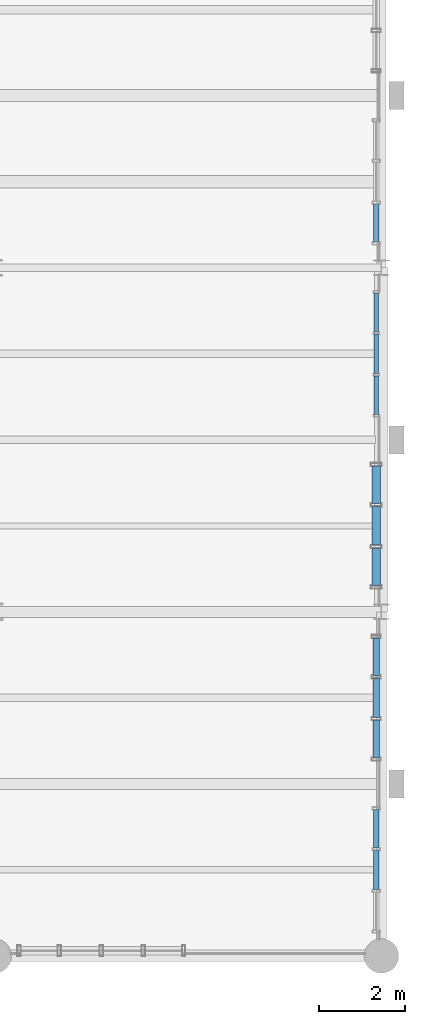
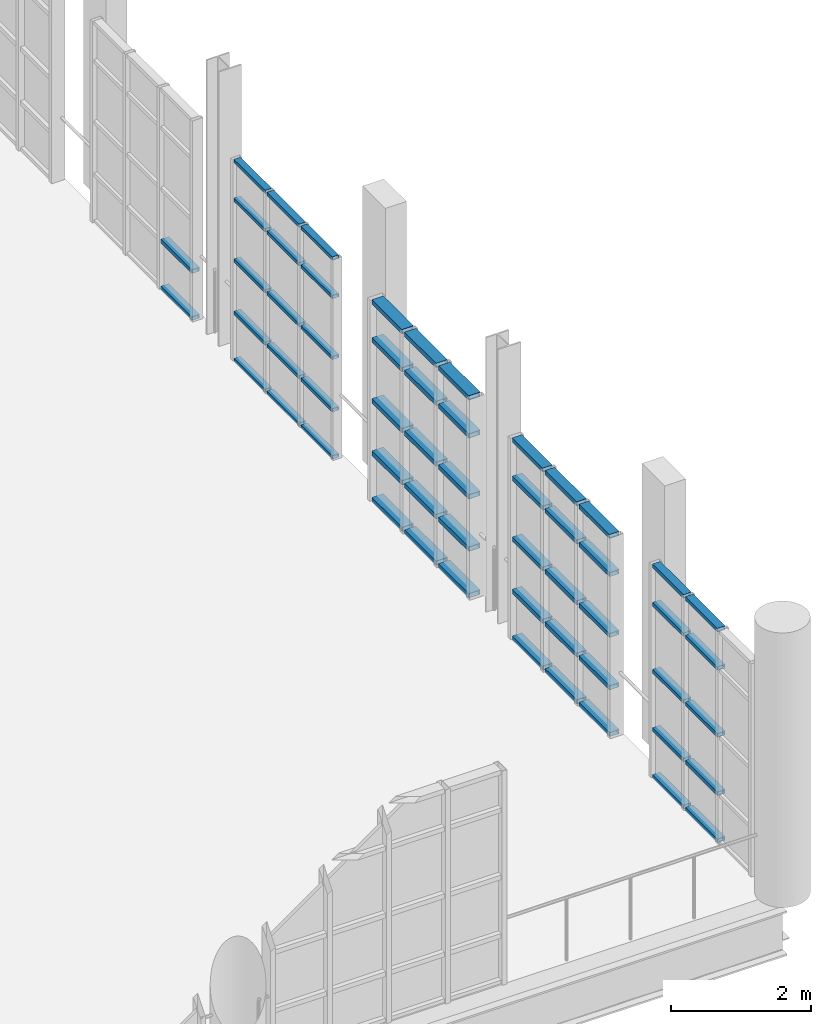
# One storey, part 74 of 122: 57 members, 5 elements without a shape of their own.
"""IFC4 building model written with IfcOpenShell, lengths in metres."""

import ifcopenshell
import ifcopenshell.guid

model = None  # the IFC model being written
_history = None  # IfcOwnerHistory: only IFC2X3 demands one
_inside = {}  # id of a spatial element -> (the spatial element, [elements in it])
_under = {}  # id of a project, library or spatial element -> (it, [spatial elements below it])
_declared = {}  # id of a project -> (the project, [libraries it declares])
_typed = {}  # id of a type object -> (the type object, [elements of that type])
_made_of = {}  # id of a material, layer set ... -> (it, [elements and type objects made of it])


def new_model(schema):
    """Start an empty IFC model of exactly this schema.

    Asked for "IFC4X3", IfcOpenShell would pick the latest addendum, in which some entities
    have other attributes; the version numbers below select the first issue.
    IFC2X3 requires an IfcOwnerHistory on every rooted entity: one is made here for all.
    """
    global model, _history
    if schema == "IFC4X3":
        model = ifcopenshell.file(schema_version=(4, 3, 0, 0))
    else:
        model = ifcopenshell.file(schema=schema)
    _inside.clear()
    _under.clear()
    _declared.clear()
    _typed.clear()
    _made_of.clear()
    _history = None
    if model.schema == "IFC2X3":
        org = make("IfcOrganization", Name="unknown")
        user = make(
            "IfcPersonAndOrganization",
            ThePerson=make("IfcPerson", FamilyName="unknown"),
            TheOrganization=org,
        )
        app = make(
            "IfcApplication",
            ApplicationDeveloper=org,
            Version="unknown",
            ApplicationFullName="unknown",
            ApplicationIdentifier="unknown",
        )
        _history = make(
            "IfcOwnerHistory",
            OwningUser=user,
            OwningApplication=app,
            ChangeAction="ADDED",
            CreationDate=0,
        )
    return model


def make(cls, **values):
    """One entity of the class cls with the attributes given. An attribute that is None is left unset."""
    return model.create_entity(
        cls, **{name: value for name, value in values.items() if value is not None}
    )


def rooted(cls, **values):
    """An entity with a GlobalId (a new one), such as an element, a storey or a relation."""
    return make(cls, GlobalId=ifcopenshell.guid.new(), OwnerHistory=_history, **values)


def si_unit(unit_type, name, prefix=None):
    """IfcSIUnit, for example si_unit("LENGTHUNIT", "METRE", prefix="MILLI")."""
    return make("IfcSIUnit", UnitType=unit_type, Prefix=prefix, Name=name)


def assignment(units):
    """IfcUnitAssignment: the units of a project."""
    return None if units is None else make("IfcUnitAssignment", Units=units)


def point(xyz):
    """IfcCartesianPoint."""
    return None if xyz is None else make("IfcCartesianPoint", Coordinates=xyz)


def direction(xyz):
    """IfcDirection."""
    return None if xyz is None else make("IfcDirection", DirectionRatios=xyz)


def frame(location, z_axis=None, x_axis=None):
    """IfcAxis2Placement3D, a coordinate frame: its origin and axes. An axis left out is left unset."""
    return make(
        "IfcAxis2Placement3D",
        Location=point(location),
        Axis=direction(z_axis),
        RefDirection=direction(x_axis),
    )


def frame_2d(location, x_axis=None):
    """IfcAxis2Placement2D, a coordinate frame in the plane: its origin and x axis."""
    return make(
        "IfcAxis2Placement2D", Location=point(location), RefDirection=direction(x_axis)
    )


def origin():
    """The frame at (0, 0, 0) with its axes left unset."""
    return frame((0.0, 0.0, 0.0))


def origin_2d():
    """The frame at (0, 0) in the plane with its x axis left unset."""
    return frame_2d((0.0, 0.0))


def place(relative_to, where):
    """IfcLocalPlacement: puts the frame where relative to a parent placement (None: the world)."""
    return make(
        "IfcLocalPlacement", PlacementRelTo=relative_to, RelativePlacement=where
    )


def context(
    kind, dimensions, precision=None, world=None, true_north=None, identifier=None
):
    """IfcGeometricRepresentationContext, for example the 3D "Model" context."""
    return make(
        "IfcGeometricRepresentationContext",
        ContextIdentifier=identifier,
        ContextType=kind,
        CoordinateSpaceDimension=dimensions,
        Precision=precision,
        WorldCoordinateSystem=world,
        TrueNorth=true_north,
    )


def subcontext(parent, identifier, kind, view, scale=None):
    """IfcGeometricRepresentationSubContext, for example "Body" below "Model"."""
    return make(
        "IfcGeometricRepresentationSubContext",
        ContextIdentifier=identifier,
        ContextType=kind,
        ParentContext=parent,
        TargetScale=scale,
        TargetView=view,
    )


def project(units=None, contexts=None):
    """IfcProject with its units and contexts."""
    return rooted(
        "IfcProject",
        Name="project",
        RepresentationContexts=contexts,
        UnitsInContext=assignment(units),
    )


def spatial(cls, under=None, at=None, **own):
    """A site, building, storey or space (cls), placed at a placement, below another one or the project."""
    s = rooted(cls, ObjectPlacement=at, **own)
    if under is not None:
        _under.setdefault(under.id(), (under, []))[1].append(s)
    return s


def profile(cls, at=None, kind="AREA", **sizes):
    """A parametric profile (cls). Its sizes go by their IFC names, for example OverallWidth=200.0."""
    return make(cls, ProfileType=kind, Position=at, **sizes)


def hollow_rectangle(**sizes):
    """IfcRectangleHollowProfileDef."""
    return profile("IfcRectangleHollowProfileDef", **sizes)


def extrude(swept, where, along, depth):
    """IfcExtrudedAreaSolid: the profile swept, set in the frame where, extruded along a direction by depth."""
    return make(
        "IfcExtrudedAreaSolid",
        SweptArea=swept,
        Position=where,
        ExtrudedDirection=direction(along),
        Depth=depth,
    )


def shape(context_of_items, identifier, shape_type, items):
    """IfcShapeRepresentation: the items that make up one representation, for example the "Body"."""
    return make(
        "IfcShapeRepresentation",
        ContextOfItems=context_of_items,
        RepresentationIdentifier=identifier,
        RepresentationType=shape_type,
        Items=items,
    )


def material(Name=None, Category=None):
    """IfcMaterial."""
    return make("IfcMaterial", Name=Name, Category=Category)


def layer(
    of_material, thickness, ventilated=None, Name=None, Category=None, Priority=None
):
    """IfcMaterialLayer: one layer of a wall or slab, of a material (None: an air gap)."""
    return make(
        "IfcMaterialLayer",
        Material=of_material,
        LayerThickness=thickness,
        IsVentilated=ventilated,
        Name=Name,
        Category=Category,
        Priority=Priority,
    )


def layer_set(layers, Name=None):
    """IfcMaterialLayerSet."""
    return make("IfcMaterialLayerSet", MaterialLayers=layers, LayerSetName=Name)


def material_profile(
    of_material, cross_section, Name=None, Category=None, Priority=None
):
    """IfcMaterialProfile: a cross section and its material."""
    return make(
        "IfcMaterialProfile",
        Name=Name,
        Material=of_material,
        Profile=cross_section,
        Priority=Priority,
        Category=Category,
    )


def profile_set(profiles, Name=None, composite=None):
    """IfcMaterialProfileSet."""
    return make(
        "IfcMaterialProfileSet",
        Name=Name,
        MaterialProfiles=profiles,
        CompositeProfile=composite,
    )


def made_of(thing, what):
    """Note that an element or type object is made of a material, layer set ...; save() writes the relation."""
    if what is not None:
        _made_of.setdefault(what.id(), (what, []))[1].append(thing)
    return thing


def type_object(cls, material=None, **own):
    """A type object (cls), such as IfcWallType, which elements share."""
    return made_of(rooted(cls, **own), material)


def element(
    cls,
    number,
    at=None,
    inside=None,
    cuts=None,
    type_object=None,
    material=None,
    context=None,
    identifier="Body",
    shape_type=None,
    held_by="IfcProductDefinitionShape",
    body=None,
    shapes=None,
    **own,
):
    """One element of the class cls, such as IfcWall. Its Tag is "e" and its number.

    at: its placement. inside: the storey or other place that contains it. cuts: it is an
    opening in that element (IfcRelVoidsElement). A single representation is given by context,
    identifier, shape_type and body (its items); several are given by shapes. held_by: the class
    of the entity that holds the representations. save() writes the other relations.
    """
    e = rooted(cls, Tag="e%d" % number, ObjectPlacement=at, **own)
    if body is not None:
        shapes = [shape(context, identifier, shape_type, body)]
    if shapes is not None:
        e.Representation = make(held_by, Representations=shapes)
    if inside is not None:
        _inside.setdefault(inside.id(), (inside, []))[1].append(e)
    if cuts is not None:
        rooted(
            "IfcRelVoidsElement", RelatingBuildingElement=cuts, RelatedOpeningElement=e
        )
    if type_object is not None:
        _typed.setdefault(type_object.id(), (type_object, []))[1].append(e)
    return made_of(e, material)


def aggregate(whole, parts):
    """IfcRelAggregates: a whole, such as a stair, and the parts it consists of."""
    return rooted("IfcRelAggregates", RelatingObject=whole, RelatedObjects=parts)


def save(model, path):
    """Write the relations noted so far, then the file.

    IfcRelAggregates (storeys below a building ...), IfcRelContainedInSpatialStructure (elements
    in a storey), IfcRelDefinesByType, IfcRelAssociatesMaterial and IfcRelDeclares: one each for
    every whole, place, type object, material and project.
    """
    for whole, parts in _under.values():
        aggregate(whole, parts)
    for where, things in _inside.values():
        rooted(
            "IfcRelContainedInSpatialStructure",
            RelatedElements=things,
            RelatingStructure=where,
        )
    for kind, things in _typed.values():
        rooted("IfcRelDefinesByType", RelatedObjects=things, RelatingType=kind)
    for what, things in _made_of.values():
        rooted("IfcRelAssociatesMaterial", RelatedObjects=things, RelatingMaterial=what)
    for by, libraries in _declared.values():
        rooted("IfcRelDeclares", RelatingContext=by, RelatedDefinitions=libraries)
    model.write(path)


model = new_model("IFC4")

# Units and contexts
model_context = context("Model", 3, precision=1e-05, world=origin(), true_north=direction((0.0, 1.0)))
body_context = subcontext(model_context, "Body", "Model", "MODEL_VIEW")
ifc_project = project(units=[si_unit("LENGTHUNIT", "METRE"), si_unit("AREAUNIT", "SQUARE_METRE"), si_unit("VOLUMEUNIT", "CUBIC_METRE"), si_unit("PLANEANGLEUNIT", "RADIAN"), si_unit("MASSUNIT", "GRAM", prefix="KILO"), si_unit("THERMODYNAMICTEMPERATUREUNIT", "KELVIN"), si_unit("POWERUNIT", "WATT")], contexts=[model_context])

# Site, building, storey
site_placement = place(None, origin())
site = spatial("IfcSite", under=ifc_project, at=site_placement, CompositionType="ELEMENT")
building_placement = place(site_placement, origin())
building = spatial("IfcBuilding", under=site, at=building_placement, Name="Zelmaris Science Centre", CompositionType="ELEMENT")
storey_placement = place(building_placement, frame((0.0, 0.0, 10.800048828125)))
storey = spatial("IfcBuildingStorey", under=building, at=storey_placement, Name="L02", CompositionType="ELEMENT", Elevation=10.800048828125)

# Curtain wall, members
ifc_material = material(Name="Anodised architectural aluminium 6063-T6", Category="aluminium")
ifc_layer_1 = layer(ifc_material, 0.219970703125, Name="Anodised architectural aluminium 6063-T6")
ifc_layer_set_1 = layer_set([ifc_layer_1], Name="Anodised architectural aluminium 6063-T6")
curtain_wall_type_1 = type_object("IfcCurtainWallType", Name="Curtain Wall CW-04", PredefinedType="USERDEFINED", material=ifc_layer_set_1)
curtain_wall_1_placement = place(storey_placement, origin())
curtain_wall_1 = element("IfcCurtainWall", 1, at=curtain_wall_1_placement, inside=storey, type_object=curtain_wall_type_1, Name="L02 Unitised curtain wall 232", ObjectType="GLAZED CURTAIN WALL", PredefinedType="USERDEFINED")
ifc_material_profile_1 = material_profile(ifc_material, hollow_rectangle(XDim=0.06005859375, YDim=0.110107421875, WallThickness=0.0029296875, at=origin_2d()), Name="ALU-TRN-60X110")
ifc_profile_set_1 = profile_set([ifc_material_profile_1], Name="Anodised architectural aluminium 6063-T6")
member_type_1 = type_object("IfcMemberType", Name="ALU-TRN-60X110", PredefinedType="USERDEFINED", material=ifc_profile_set_1)
member_1_placement = place(storey_placement, frame((143.8798828125, 23.407958984375, 0.010986328125), z_axis=(0.0, -1.0, 0.0), x_axis=(0.0, 0.0, 1.0)))
member_1 = element("IfcMember", 2, at=member_1_placement, type_object=member_type_1, Name="CW-04 transom 1.1", ObjectType="TRANSOM", PredefinedType="USERDEFINED", context=body_context, shape_type="SweptSolid", body=[
    extrude(hollow_rectangle(XDim=0.06005859375, YDim=0.110107421875, WallThickness=0.0029296875, at=origin_2d()), origin(), (0.0, 0.0, 1.0), 0.895263671875),
])
member_2_placement = place(storey_placement, frame((143.8798828125, 23.407958984375, 0.8349609375), z_axis=(0.0, -1.0, 0.0), x_axis=(0.0, 0.0, 1.0)))
member_2 = element("IfcMember", 3, at=member_2_placement, type_object=member_type_1, Name="CW-04 transom 1.2", ObjectType="TRANSOM", PredefinedType="USERDEFINED", context=body_context, shape_type="SweptSolid", body=[
    extrude(hollow_rectangle(XDim=0.06005859375, YDim=0.110107421875, WallThickness=0.0029296875, at=origin_2d()), origin(), (0.0, 0.0, 1.0), 0.895263671875),
])
member_3_placement = place(storey_placement, frame((143.8798828125, 23.407958984375, 1.74951171875), z_axis=(0.0, -1.0, 0.0), x_axis=(0.0, 0.0, 1.0)))
member_3 = element("IfcMember", 4, at=member_3_placement, type_object=member_type_1, Name="CW-04 transom 1.3", ObjectType="TRANSOM", PredefinedType="USERDEFINED", context=body_context, shape_type="SweptSolid", body=[
    extrude(hollow_rectangle(XDim=0.06005859375, YDim=0.110107421875, WallThickness=0.0029296875, at=origin_2d()), origin(), (0.0, 0.0, 1.0), 0.895263671875),
])
member_4_placement = place(storey_placement, frame((143.8798828125, 23.407958984375, 2.81396484375), z_axis=(0.0, -1.0, 0.0), x_axis=(0.0, 0.0, 1.0)))
member_4 = element("IfcMember", 5, at=member_4_placement, type_object=member_type_1, Name="CW-04 transom 1.4", ObjectType="TRANSOM", PredefinedType="USERDEFINED", context=body_context, shape_type="SweptSolid", body=[
    extrude(hollow_rectangle(XDim=0.06005859375, YDim=0.110107421875, WallThickness=0.0029296875, at=origin_2d()), origin(), (0.0, 0.0, 1.0), 0.895263671875),
])
member_5_placement = place(storey_placement, frame((143.8798828125, 23.407958984375, 3.488037109375), z_axis=(0.0, -1.0, 0.0), x_axis=(0.0, 0.0, 1.0)))
member_5 = element("IfcMember", 6, at=member_5_placement, type_object=member_type_1, Name="CW-04 transom 1.5", ObjectType="TRANSOM", PredefinedType="USERDEFINED", context=body_context, shape_type="SweptSolid", body=[
    extrude(hollow_rectangle(XDim=0.06005859375, YDim=0.110107421875, WallThickness=0.0029296875, at=origin_2d()), origin(), (0.0, 0.0, 1.0), 0.895263671875),
])
member_6_placement = place(storey_placement, frame((143.8798828125, 22.460693359375, 0.010986328125), z_axis=(0.0, -1.0, 0.0), x_axis=(0.0, 0.0, 1.0)))
member_6 = element("IfcMember", 7, at=member_6_placement, type_object=member_type_1, Name="CW-04 transom 2.1", ObjectType="TRANSOM", PredefinedType="USERDEFINED", context=body_context, shape_type="SweptSolid", body=[
    extrude(hollow_rectangle(XDim=0.06005859375, YDim=0.110107421875, WallThickness=0.0029296875, at=origin_2d()), origin(), (0.0, 0.0, 1.0), 0.92138671875),
])
member_7_placement = place(storey_placement, frame((143.8798828125, 22.460693359375, 0.8349609375), z_axis=(0.0, -1.0, 0.0), x_axis=(0.0, 0.0, 1.0)))
member_7 = element("IfcMember", 8, at=member_7_placement, type_object=member_type_1, Name="CW-04 transom 2.2", ObjectType="TRANSOM", PredefinedType="USERDEFINED", context=body_context, shape_type="SweptSolid", body=[
    extrude(hollow_rectangle(XDim=0.06005859375, YDim=0.110107421875, WallThickness=0.0029296875, at=origin_2d()), origin(), (0.0, 0.0, 1.0), 0.92138671875),
])
member_8_placement = place(storey_placement, frame((143.8798828125, 22.460693359375, 1.74951171875), z_axis=(0.0, -1.0, 0.0), x_axis=(0.0, 0.0, 1.0)))
member_8 = element("IfcMember", 9, at=member_8_placement, type_object=member_type_1, Name="CW-04 transom 2.3", ObjectType="TRANSOM", PredefinedType="USERDEFINED", context=body_context, shape_type="SweptSolid", body=[
    extrude(hollow_rectangle(XDim=0.06005859375, YDim=0.110107421875, WallThickness=0.0029296875, at=origin_2d()), origin(), (0.0, 0.0, 1.0), 0.92138671875),
])
member_9_placement = place(storey_placement, frame((143.8798828125, 22.460693359375, 2.81396484375), z_axis=(0.0, -1.0, 0.0), x_axis=(0.0, 0.0, 1.0)))
member_9 = element("IfcMember", 10, at=member_9_placement, type_object=member_type_1, Name="CW-04 transom 2.4", ObjectType="TRANSOM", PredefinedType="USERDEFINED", context=body_context, shape_type="SweptSolid", body=[
    extrude(hollow_rectangle(XDim=0.06005859375, YDim=0.110107421875, WallThickness=0.0029296875, at=origin_2d()), origin(), (0.0, 0.0, 1.0), 0.92138671875),
])
member_10_placement = place(storey_placement, frame((143.8798828125, 22.460693359375, 3.488037109375), z_axis=(0.0, -1.0, 0.0), x_axis=(0.0, 0.0, 1.0)))
member_10 = element("IfcMember", 11, at=member_10_placement, type_object=member_type_1, Name="CW-04 transom 2.5", ObjectType="TRANSOM", PredefinedType="USERDEFINED", context=body_context, shape_type="SweptSolid", body=[
    extrude(hollow_rectangle(XDim=0.06005859375, YDim=0.110107421875, WallThickness=0.0029296875, at=origin_2d()), origin(), (0.0, 0.0, 1.0), 0.92138671875),
])
member_11_placement = place(storey_placement, frame((143.8798828125, 21.4873046875, 0.010986328125), z_axis=(0.0, -1.0, 0.0), x_axis=(0.0, 0.0, 1.0)))
member_11 = element("IfcMember", 12, at=member_11_placement, type_object=member_type_1, Name="CW-04 transom 3.1", ObjectType="TRANSOM", PredefinedType="USERDEFINED", context=body_context, shape_type="SweptSolid", body=[
    extrude(hollow_rectangle(XDim=0.06005859375, YDim=0.110107421875, WallThickness=0.0029296875, at=origin_2d()), origin(), (0.0, 0.0, 1.0), 0.895263671875),
])
member_12_placement = place(storey_placement, frame((143.8798828125, 21.4873046875, 0.8349609375), z_axis=(0.0, -1.0, 0.0), x_axis=(0.0, 0.0, 1.0)))
member_12 = element("IfcMember", 13, at=member_12_placement, type_object=member_type_1, Name="CW-04 transom 3.2", ObjectType="TRANSOM", PredefinedType="USERDEFINED", context=body_context, shape_type="SweptSolid", body=[
    extrude(hollow_rectangle(XDim=0.06005859375, YDim=0.110107421875, WallThickness=0.0029296875, at=origin_2d()), origin(), (0.0, 0.0, 1.0), 0.895263671875),
])
member_13_placement = place(storey_placement, frame((143.8798828125, 21.4873046875, 1.74951171875), z_axis=(0.0, -1.0, 0.0), x_axis=(0.0, 0.0, 1.0)))
member_13 = element("IfcMember", 14, at=member_13_placement, type_object=member_type_1, Name="CW-04 transom 3.3", ObjectType="TRANSOM", PredefinedType="USERDEFINED", context=body_context, shape_type="SweptSolid", body=[
    extrude(hollow_rectangle(XDim=0.06005859375, YDim=0.110107421875, WallThickness=0.0029296875, at=origin_2d()), origin(), (0.0, 0.0, 1.0), 0.895263671875),
])
member_14_placement = place(storey_placement, frame((143.8798828125, 21.4873046875, 2.81396484375), z_axis=(0.0, -1.0, 0.0), x_axis=(0.0, 0.0, 1.0)))
member_14 = element("IfcMember", 15, at=member_14_placement, type_object=member_type_1, Name="CW-04 transom 3.4", ObjectType="TRANSOM", PredefinedType="USERDEFINED", context=body_context, shape_type="SweptSolid", body=[
    extrude(hollow_rectangle(XDim=0.06005859375, YDim=0.110107421875, WallThickness=0.0029296875, at=origin_2d()), origin(), (0.0, 0.0, 1.0), 0.895263671875),
])
member_15_placement = place(storey_placement, frame((143.8798828125, 21.4873046875, 3.488037109375), z_axis=(0.0, -1.0, 0.0), x_axis=(0.0, 0.0, 1.0)))
member_15 = element("IfcMember", 16, at=member_15_placement, type_object=member_type_1, Name="CW-04 transom 3.5", ObjectType="TRANSOM", PredefinedType="USERDEFINED", context=body_context, shape_type="SweptSolid", body=[
    extrude(hollow_rectangle(XDim=0.06005859375, YDim=0.110107421875, WallThickness=0.0029296875, at=origin_2d()), origin(), (0.0, 0.0, 1.0), 0.895263671875),
])
aggregate(curtain_wall_1, [member_1, member_2, member_3, member_4, member_5, member_6, member_7, member_8, member_9, member_10, member_11, member_12, member_13, member_14, member_15])

ifc_layer_2 = layer(ifc_material, 0.2099609375, Name="Anodised architectural aluminium 6063-T6")
ifc_layer_set_2 = layer_set([ifc_layer_2], Name="Anodised architectural aluminium 6063-T6")
curtain_wall_type_2 = type_object("IfcCurtainWallType", Name="Curtain Wall CW-03", PredefinedType="USERDEFINED", material=ifc_layer_set_2)
curtain_wall_2_placement = place(storey_placement, origin())
curtain_wall_2 = element("IfcCurtainWall", 17, at=curtain_wall_2_placement, inside=storey, type_object=curtain_wall_type_2, Name="L02 Unitised curtain wall 231", ObjectType="GLAZED CURTAIN WALL", PredefinedType="USERDEFINED")
ifc_material_profile_2 = material_profile(ifc_material, hollow_rectangle(XDim=0.06494140625, YDim=0.1298828125, WallThickness=0.00341796875, at=origin_2d()), Name="ALU-TRN-65X130")
ifc_profile_set_2 = profile_set([ifc_material_profile_2], Name="Anodised architectural aluminium 6063-T6")
member_type_2 = type_object("IfcMemberType", Name="ALU-TRN-65X130", PredefinedType="USERDEFINED", material=ifc_profile_set_2)
member_16_placement = place(storey_placement, frame((143.8798828125, 25.48486328125, 0.013427734375), z_axis=(0.0, -1.0, 0.0), x_axis=(0.0, 0.0, 1.0)))
member_16 = element("IfcMember", 18, at=member_16_placement, type_object=member_type_2, Name="CW-03 transom 3.1", ObjectType="TRANSOM", PredefinedType="USERDEFINED", context=body_context, shape_type="SweptSolid", body=[
    extrude(hollow_rectangle(XDim=0.06494140625, YDim=0.1298828125, WallThickness=0.00341796875, at=origin_2d()), origin(), (0.0, 0.0, 1.0), 0.887939453125),
])
member_17_placement = place(storey_placement, frame((143.8798828125, 25.48486328125, 0.8349609375), z_axis=(0.0, -1.0, 0.0), x_axis=(0.0, 0.0, 1.0)))
member_17 = element("IfcMember", 19, at=member_17_placement, type_object=member_type_2, Name="CW-03 transom 3.2", ObjectType="TRANSOM", PredefinedType="USERDEFINED", context=body_context, shape_type="SweptSolid", body=[
    extrude(hollow_rectangle(XDim=0.06494140625, YDim=0.1298828125, WallThickness=0.00341796875, at=origin_2d()), origin(), (0.0, 0.0, 1.0), 0.887939453125),
])
aggregate(curtain_wall_2, [member_16, member_17])

curtain_wall_3_placement = place(storey_placement, origin())
curtain_wall_3 = element("IfcCurtainWall", 20, at=curtain_wall_3_placement, inside=storey, type_object=curtain_wall_type_2, Name="L02 Unitised curtain wall 235", ObjectType="GLAZED CURTAIN WALL", PredefinedType="USERDEFINED")
member_18_placement = place(storey_placement, frame((143.8798828125, 11.403076171875, 0.013427734375), z_axis=(0.0, -1.0, 0.0), x_axis=(0.0, 0.0, 1.0)))
member_18 = element("IfcMember", 21, at=member_18_placement, type_object=member_type_2, Name="CW-03 transom 1.1", ObjectType="TRANSOM", PredefinedType="USERDEFINED", context=body_context, shape_type="SweptSolid", body=[
    extrude(hollow_rectangle(XDim=0.06494140625, YDim=0.1298828125, WallThickness=0.00341796875, at=origin_2d()), origin(), (0.0, 0.0, 1.0), 0.887939453125),
])
member_19_placement = place(storey_placement, frame((143.8798828125, 11.403076171875, 0.8349609375), z_axis=(0.0, -1.0, 0.0), x_axis=(0.0, 0.0, 1.0)))
member_19 = element("IfcMember", 22, at=member_19_placement, type_object=member_type_2, Name="CW-03 transom 1.2", ObjectType="TRANSOM", PredefinedType="USERDEFINED", context=body_context, shape_type="SweptSolid", body=[
    extrude(hollow_rectangle(XDim=0.06494140625, YDim=0.1298828125, WallThickness=0.00341796875, at=origin_2d()), origin(), (0.0, 0.0, 1.0), 0.887939453125),
])
member_20_placement = place(storey_placement, frame((143.8798828125, 11.403076171875, 1.85498046875), z_axis=(0.0, -1.0, 0.0), x_axis=(0.0, 0.0, 1.0)))
member_20 = element("IfcMember", 23, at=member_20_placement, type_object=member_type_2, Name="CW-03 transom 1.3", ObjectType="TRANSOM", PredefinedType="USERDEFINED", context=body_context, shape_type="SweptSolid", body=[
    extrude(hollow_rectangle(XDim=0.06494140625, YDim=0.1298828125, WallThickness=0.00341796875, at=origin_2d()), origin(), (0.0, 0.0, 1.0), 0.887939453125),
])
member_21_placement = place(storey_placement, frame((143.8798828125, 11.403076171875, 3.02490234375), z_axis=(0.0, -1.0, 0.0), x_axis=(0.0, 0.0, 1.0)))
member_21 = element("IfcMember", 24, at=member_21_placement, type_object=member_type_2, Name="CW-03 transom 1.4", ObjectType="TRANSOM", PredefinedType="USERDEFINED", context=body_context, shape_type="SweptSolid", body=[
    extrude(hollow_rectangle(XDim=0.06494140625, YDim=0.1298828125, WallThickness=0.00341796875, at=origin_2d()), origin(), (0.0, 0.0, 1.0), 0.887939453125),
])
member_22_placement = place(storey_placement, frame((143.8798828125, 11.403076171875, 3.696533203125), z_axis=(0.0, -1.0, 0.0), x_axis=(0.0, 0.0, 1.0)))
member_22 = element("IfcMember", 25, at=member_22_placement, type_object=member_type_2, Name="CW-03 transom 1.5", ObjectType="TRANSOM", PredefinedType="USERDEFINED", context=body_context, shape_type="SweptSolid", body=[
    extrude(hollow_rectangle(XDim=0.06494140625, YDim=0.1298828125, WallThickness=0.00341796875, at=origin_2d()), origin(), (0.0, 0.0, 1.0), 0.887939453125),
])
member_23_placement = place(storey_placement, frame((143.8798828125, 10.458251953125, 0.013427734375), z_axis=(0.0, -1.0, 0.0), x_axis=(0.0, 0.0, 1.0)))
member_23 = element("IfcMember", 26, at=member_23_placement, type_object=member_type_2, Name="CW-03 transom 2.1", ObjectType="TRANSOM", PredefinedType="USERDEFINED", context=body_context, shape_type="SweptSolid", body=[
    extrude(hollow_rectangle(XDim=0.06494140625, YDim=0.1298828125, WallThickness=0.00341796875, at=origin_2d()), origin(), (0.0, 0.0, 1.0), 0.916259765625),
])
member_24_placement = place(storey_placement, frame((143.8798828125, 10.458251953125, 0.8349609375), z_axis=(0.0, -1.0, 0.0), x_axis=(0.0, 0.0, 1.0)))
member_24 = element("IfcMember", 27, at=member_24_placement, type_object=member_type_2, Name="CW-03 transom 2.2", ObjectType="TRANSOM", PredefinedType="USERDEFINED", context=body_context, shape_type="SweptSolid", body=[
    extrude(hollow_rectangle(XDim=0.06494140625, YDim=0.1298828125, WallThickness=0.00341796875, at=origin_2d()), origin(), (0.0, 0.0, 1.0), 0.916259765625),
])
member_25_placement = place(storey_placement, frame((143.8798828125, 10.458251953125, 1.85498046875), z_axis=(0.0, -1.0, 0.0), x_axis=(0.0, 0.0, 1.0)))
member_25 = element("IfcMember", 28, at=member_25_placement, type_object=member_type_2, Name="CW-03 transom 2.3", ObjectType="TRANSOM", PredefinedType="USERDEFINED", context=body_context, shape_type="SweptSolid", body=[
    extrude(hollow_rectangle(XDim=0.06494140625, YDim=0.1298828125, WallThickness=0.00341796875, at=origin_2d()), origin(), (0.0, 0.0, 1.0), 0.916259765625),
])
member_26_placement = place(storey_placement, frame((143.8798828125, 10.458251953125, 3.02490234375), z_axis=(0.0, -1.0, 0.0), x_axis=(0.0, 0.0, 1.0)))
member_26 = element("IfcMember", 29, at=member_26_placement, type_object=member_type_2, Name="CW-03 transom 2.4", ObjectType="TRANSOM", PredefinedType="USERDEFINED", context=body_context, shape_type="SweptSolid", body=[
    extrude(hollow_rectangle(XDim=0.06494140625, YDim=0.1298828125, WallThickness=0.00341796875, at=origin_2d()), origin(), (0.0, 0.0, 1.0), 0.916259765625),
])
member_27_placement = place(storey_placement, frame((143.8798828125, 10.458251953125, 3.696533203125), z_axis=(0.0, -1.0, 0.0), x_axis=(0.0, 0.0, 1.0)))
member_27 = element("IfcMember", 30, at=member_27_placement, type_object=member_type_2, Name="CW-03 transom 2.5", ObjectType="TRANSOM", PredefinedType="USERDEFINED", context=body_context, shape_type="SweptSolid", body=[
    extrude(hollow_rectangle(XDim=0.06494140625, YDim=0.1298828125, WallThickness=0.00341796875, at=origin_2d()), origin(), (0.0, 0.0, 1.0), 0.916259765625),
])
aggregate(curtain_wall_3, [member_18, member_19, member_20, member_21, member_22, member_23, member_24, member_25, member_26, member_27])

ifc_layer_3 = layer(ifc_material, 0.199951171875, Name="Anodised architectural aluminium 6063-T6")
ifc_layer_set_3 = layer_set([ifc_layer_3], Name="Anodised architectural aluminium 6063-T6")
curtain_wall_type_3 = type_object("IfcCurtainWallType", Name="Curtain Wall CW-02", PredefinedType="USERDEFINED", material=ifc_layer_set_3)
curtain_wall_4_placement = place(storey_placement, origin())
curtain_wall_4 = element("IfcCurtainWall", 31, at=curtain_wall_4_placement, inside=storey, type_object=curtain_wall_type_3, Name="L02 Unitised curtain wall 234", ObjectType="GLAZED CURTAIN WALL", PredefinedType="USERDEFINED")
ifc_material_profile_3 = material_profile(ifc_material, hollow_rectangle(XDim=0.074951171875, YDim=0.159912109375, WallThickness=0.00390625, at=origin_2d()), Name="ALU-TRN-75X160")
ifc_profile_set_3 = profile_set([ifc_material_profile_3], Name="Anodised architectural aluminium 6063-T6")
member_type_3 = type_object("IfcMemberType", Name="ALU-TRN-75X160", PredefinedType="USERDEFINED", material=ifc_profile_set_3)
member_28_placement = place(storey_placement, frame((143.8798828125, 15.39306640625, 0.0185546875), z_axis=(0.0, -1.0, 0.0), x_axis=(0.0, 0.0, 1.0)))
member_28 = element("IfcMember", 32, at=member_28_placement, type_object=member_type_3, Name="CW-02 transom 1.1", ObjectType="TRANSOM", PredefinedType="USERDEFINED", context=body_context, shape_type="SweptSolid", body=[
    extrude(hollow_rectangle(XDim=0.074951171875, YDim=0.159912109375, WallThickness=0.00390625, at=origin_2d()), origin(), (0.0, 0.0, 1.0), 0.872802734375),
])
member_29_placement = place(storey_placement, frame((143.8798828125, 15.39306640625, 0.8349609375), z_axis=(0.0, -1.0, 0.0), x_axis=(0.0, 0.0, 1.0)))
member_29 = element("IfcMember", 33, at=member_29_placement, type_object=member_type_3, Name="CW-02 transom 1.2", ObjectType="TRANSOM", PredefinedType="USERDEFINED", context=body_context, shape_type="SweptSolid", body=[
    extrude(hollow_rectangle(XDim=0.074951171875, YDim=0.159912109375, WallThickness=0.00390625, at=origin_2d()), origin(), (0.0, 0.0, 1.0), 0.872802734375),
])
member_30_placement = place(storey_placement, frame((143.8798828125, 15.39306640625, 1.74951171875), z_axis=(0.0, -1.0, 0.0), x_axis=(0.0, 0.0, 1.0)))
member_30 = element("IfcMember", 34, at=member_30_placement, type_object=member_type_3, Name="CW-02 transom 1.3", ObjectType="TRANSOM", PredefinedType="USERDEFINED", context=body_context, shape_type="SweptSolid", body=[
    extrude(hollow_rectangle(XDim=0.074951171875, YDim=0.159912109375, WallThickness=0.00390625, at=origin_2d()), origin(), (0.0, 0.0, 1.0), 0.872802734375),
])
member_31_placement = place(storey_placement, frame((143.8798828125, 15.39306640625, 2.81396484375), z_axis=(0.0, -1.0, 0.0), x_axis=(0.0, 0.0, 1.0)))
member_31 = element("IfcMember", 35, at=member_31_placement, type_object=member_type_3, Name="CW-02 transom 1.4", ObjectType="TRANSOM", PredefinedType="USERDEFINED", context=body_context, shape_type="SweptSolid", body=[
    extrude(hollow_rectangle(XDim=0.074951171875, YDim=0.159912109375, WallThickness=0.00390625, at=origin_2d()), origin(), (0.0, 0.0, 1.0), 0.872802734375),
])
member_32_placement = place(storey_placement, frame((143.8798828125, 15.39306640625, 3.48046875), z_axis=(0.0, -1.0, 0.0), x_axis=(0.0, 0.0, 1.0)))
member_32 = element("IfcMember", 36, at=member_32_placement, type_object=member_type_3, Name="CW-02 transom 1.5", ObjectType="TRANSOM", PredefinedType="USERDEFINED", context=body_context, shape_type="SweptSolid", body=[
    extrude(hollow_rectangle(XDim=0.074951171875, YDim=0.159912109375, WallThickness=0.00390625, at=origin_2d()), origin(), (0.0, 0.0, 1.0), 0.872802734375),
])
member_33_placement = place(storey_placement, frame((143.8798828125, 14.453125, 0.0185546875), z_axis=(0.0, -1.0, 0.0), x_axis=(0.0, 0.0, 1.0)))
member_33 = element("IfcMember", 37, at=member_33_placement, type_object=member_type_3, Name="CW-02 transom 2.1", ObjectType="TRANSOM", PredefinedType="USERDEFINED", context=body_context, shape_type="SweptSolid", body=[
    extrude(hollow_rectangle(XDim=0.074951171875, YDim=0.159912109375, WallThickness=0.00390625, at=origin_2d()), origin(), (0.0, 0.0, 1.0), 0.90625),
])
member_34_placement = place(storey_placement, frame((143.8798828125, 14.453125, 0.8349609375), z_axis=(0.0, -1.0, 0.0), x_axis=(0.0, 0.0, 1.0)))
member_34 = element("IfcMember", 38, at=member_34_placement, type_object=member_type_3, Name="CW-02 transom 2.2", ObjectType="TRANSOM", PredefinedType="USERDEFINED", context=body_context, shape_type="SweptSolid", body=[
    extrude(hollow_rectangle(XDim=0.074951171875, YDim=0.159912109375, WallThickness=0.00390625, at=origin_2d()), origin(), (0.0, 0.0, 1.0), 0.90625),
])
member_35_placement = place(storey_placement, frame((143.8798828125, 14.453125, 1.74951171875), z_axis=(0.0, -1.0, 0.0), x_axis=(0.0, 0.0, 1.0)))
member_35 = element("IfcMember", 39, at=member_35_placement, type_object=member_type_3, Name="CW-02 transom 2.3", ObjectType="TRANSOM", PredefinedType="USERDEFINED", context=body_context, shape_type="SweptSolid", body=[
    extrude(hollow_rectangle(XDim=0.074951171875, YDim=0.159912109375, WallThickness=0.00390625, at=origin_2d()), origin(), (0.0, 0.0, 1.0), 0.90625),
])
member_36_placement = place(storey_placement, frame((143.8798828125, 14.453125, 2.81396484375), z_axis=(0.0, -1.0, 0.0), x_axis=(0.0, 0.0, 1.0)))
member_36 = element("IfcMember", 40, at=member_36_placement, type_object=member_type_3, Name="CW-02 transom 2.4", ObjectType="TRANSOM", PredefinedType="USERDEFINED", context=body_context, shape_type="SweptSolid", body=[
    extrude(hollow_rectangle(XDim=0.074951171875, YDim=0.159912109375, WallThickness=0.00390625, at=origin_2d()), origin(), (0.0, 0.0, 1.0), 0.90625),
])
member_37_placement = place(storey_placement, frame((143.8798828125, 14.453125, 3.48046875), z_axis=(0.0, -1.0, 0.0), x_axis=(0.0, 0.0, 1.0)))
member_37 = element("IfcMember", 41, at=member_37_placement, type_object=member_type_3, Name="CW-02 transom 2.5", ObjectType="TRANSOM", PredefinedType="USERDEFINED", context=body_context, shape_type="SweptSolid", body=[
    extrude(hollow_rectangle(XDim=0.074951171875, YDim=0.159912109375, WallThickness=0.00390625, at=origin_2d()), origin(), (0.0, 0.0, 1.0), 0.90625),
])
member_38_placement = place(storey_placement, frame((143.8798828125, 13.479736328125, 0.0185546875), z_axis=(0.0, -1.0, 0.0), x_axis=(0.0, 0.0, 1.0)))
member_38 = element("IfcMember", 42, at=member_38_placement, type_object=member_type_3, Name="CW-02 transom 3.1", ObjectType="TRANSOM", PredefinedType="USERDEFINED", context=body_context, shape_type="SweptSolid", body=[
    extrude(hollow_rectangle(XDim=0.074951171875, YDim=0.159912109375, WallThickness=0.00390625, at=origin_2d()), origin(), (0.0, 0.0, 1.0), 0.872802734375),
])
member_39_placement = place(storey_placement, frame((143.8798828125, 13.479736328125, 0.8349609375), z_axis=(0.0, -1.0, 0.0), x_axis=(0.0, 0.0, 1.0)))
member_39 = element("IfcMember", 43, at=member_39_placement, type_object=member_type_3, Name="CW-02 transom 3.2", ObjectType="TRANSOM", PredefinedType="USERDEFINED", context=body_context, shape_type="SweptSolid", body=[
    extrude(hollow_rectangle(XDim=0.074951171875, YDim=0.159912109375, WallThickness=0.00390625, at=origin_2d()), origin(), (0.0, 0.0, 1.0), 0.872802734375),
])
member_40_placement = place(storey_placement, frame((143.8798828125, 13.479736328125, 1.74951171875), z_axis=(0.0, -1.0, 0.0), x_axis=(0.0, 0.0, 1.0)))
member_40 = element("IfcMember", 44, at=member_40_placement, type_object=member_type_3, Name="CW-02 transom 3.3", ObjectType="TRANSOM", PredefinedType="USERDEFINED", context=body_context, shape_type="SweptSolid", body=[
    extrude(hollow_rectangle(XDim=0.074951171875, YDim=0.159912109375, WallThickness=0.00390625, at=origin_2d()), origin(), (0.0, 0.0, 1.0), 0.872802734375),
])
member_41_placement = place(storey_placement, frame((143.8798828125, 13.479736328125, 2.81396484375), z_axis=(0.0, -1.0, 0.0), x_axis=(0.0, 0.0, 1.0)))
member_41 = element("IfcMember", 45, at=member_41_placement, type_object=member_type_3, Name="CW-02 transom 3.4", ObjectType="TRANSOM", PredefinedType="USERDEFINED", context=body_context, shape_type="SweptSolid", body=[
    extrude(hollow_rectangle(XDim=0.074951171875, YDim=0.159912109375, WallThickness=0.00390625, at=origin_2d()), origin(), (0.0, 0.0, 1.0), 0.872802734375),
])
member_42_placement = place(storey_placement, frame((143.8798828125, 13.479736328125, 3.48046875), z_axis=(0.0, -1.0, 0.0), x_axis=(0.0, 0.0, 1.0)))
member_42 = element("IfcMember", 46, at=member_42_placement, type_object=member_type_3, Name="CW-02 transom 3.5", ObjectType="TRANSOM", PredefinedType="USERDEFINED", context=body_context, shape_type="SweptSolid", body=[
    extrude(hollow_rectangle(XDim=0.074951171875, YDim=0.159912109375, WallThickness=0.00390625, at=origin_2d()), origin(), (0.0, 0.0, 1.0), 0.872802734375),
])
aggregate(curtain_wall_4, [member_28, member_29, member_30, member_31, member_32, member_33, member_34, member_35, member_36, member_37, member_38, member_39, member_40, member_41, member_42])

ifc_layer_4 = layer(ifc_material, 0.18994140625, Name="Anodised architectural aluminium 6063-T6")
ifc_layer_set_4 = layer_set([ifc_layer_4], Name="Anodised architectural aluminium 6063-T6")
curtain_wall_type_4 = type_object("IfcCurtainWallType", Name="Curtain Wall CW-01", PredefinedType="USERDEFINED", material=ifc_layer_set_4)
curtain_wall_5_placement = place(storey_placement, origin())
curtain_wall_5 = element("IfcCurtainWall", 47, at=curtain_wall_5_placement, inside=storey, type_object=curtain_wall_type_4, Name="L02 Unitised curtain wall 233", ObjectType="GLAZED CURTAIN WALL", PredefinedType="USERDEFINED")
ifc_material_profile_4 = material_profile(ifc_material, hollow_rectangle(XDim=0.080078125, YDim=0.18994140625, WallThickness=0.00439453125, at=origin_2d()), Name="ALU-TRN-80X190")
ifc_profile_set_4 = profile_set([ifc_material_profile_4], Name="Anodised architectural aluminium 6063-T6")
member_type_4 = type_object("IfcMemberType", Name="ALU-TRN-80X190", PredefinedType="USERDEFINED", material=ifc_profile_set_4)
member_43_placement = place(storey_placement, frame((143.8798828125, 19.387939453125, 0.02099609375), z_axis=(0.0, -1.0, 0.0), x_axis=(0.0, 0.0, 1.0)))
member_43 = element("IfcMember", 48, at=member_43_placement, type_object=member_type_4, Name="CW-01 transom 1.1", ObjectType="TRANSOM", PredefinedType="USERDEFINED", context=body_context, shape_type="SweptSolid", body=[
    extrude(hollow_rectangle(XDim=0.080078125, YDim=0.18994140625, WallThickness=0.00439453125, at=origin_2d()), origin(), (0.0, 0.0, 1.0), 0.865234375),
])
member_44_placement = place(storey_placement, frame((143.8798828125, 19.387939453125, 0.8349609375), z_axis=(0.0, -1.0, 0.0), x_axis=(0.0, 0.0, 1.0)))
member_44 = element("IfcMember", 49, at=member_44_placement, type_object=member_type_4, Name="CW-01 transom 1.2", ObjectType="TRANSOM", PredefinedType="USERDEFINED", context=body_context, shape_type="SweptSolid", body=[
    extrude(hollow_rectangle(XDim=0.080078125, YDim=0.18994140625, WallThickness=0.00439453125, at=origin_2d()), origin(), (0.0, 0.0, 1.0), 0.865234375),
])
member_45_placement = place(storey_placement, frame((143.8798828125, 19.387939453125, 1.74951171875), z_axis=(0.0, -1.0, 0.0), x_axis=(0.0, 0.0, 1.0)))
member_45 = element("IfcMember", 50, at=member_45_placement, type_object=member_type_4, Name="CW-01 transom 1.3", ObjectType="TRANSOM", PredefinedType="USERDEFINED", context=body_context, shape_type="SweptSolid", body=[
    extrude(hollow_rectangle(XDim=0.080078125, YDim=0.18994140625, WallThickness=0.00439453125, at=origin_2d()), origin(), (0.0, 0.0, 1.0), 0.865234375),
])
member_46_placement = place(storey_placement, frame((143.8798828125, 19.387939453125, 2.81396484375), z_axis=(0.0, -1.0, 0.0), x_axis=(0.0, 0.0, 1.0)))
member_46 = element("IfcMember", 51, at=member_46_placement, type_object=member_type_4, Name="CW-01 transom 1.4", ObjectType="TRANSOM", PredefinedType="USERDEFINED", context=body_context, shape_type="SweptSolid", body=[
    extrude(hollow_rectangle(XDim=0.080078125, YDim=0.18994140625, WallThickness=0.00439453125, at=origin_2d()), origin(), (0.0, 0.0, 1.0), 0.865234375),
])
member_47_placement = place(storey_placement, frame((143.8798828125, 19.387939453125, 3.47802734375), z_axis=(0.0, -1.0, 0.0), x_axis=(0.0, 0.0, 1.0)))
member_47 = element("IfcMember", 52, at=member_47_placement, type_object=member_type_4, Name="CW-01 transom 1.5", ObjectType="TRANSOM", PredefinedType="USERDEFINED", context=body_context, shape_type="SweptSolid", body=[
    extrude(hollow_rectangle(XDim=0.080078125, YDim=0.18994140625, WallThickness=0.00439453125, at=origin_2d()), origin(), (0.0, 0.0, 1.0), 0.865234375),
])
member_48_placement = place(storey_placement, frame((143.8798828125, 18.45068359375, 0.02099609375), z_axis=(0.0, -1.0, 0.0), x_axis=(0.0, 0.0, 1.0)))
member_48 = element("IfcMember", 53, at=member_48_placement, type_object=member_type_4, Name="CW-01 transom 2.1", ObjectType="TRANSOM", PredefinedType="USERDEFINED", context=body_context, shape_type="SweptSolid", body=[
    extrude(hollow_rectangle(XDim=0.080078125, YDim=0.18994140625, WallThickness=0.00439453125, at=origin_2d()), origin(), (0.0, 0.0, 1.0), 0.9013671875),
])
member_49_placement = place(storey_placement, frame((143.8798828125, 18.45068359375, 0.8349609375), z_axis=(0.0, -1.0, 0.0), x_axis=(0.0, 0.0, 1.0)))
member_49 = element("IfcMember", 54, at=member_49_placement, type_object=member_type_4, Name="CW-01 transom 2.2", ObjectType="TRANSOM", PredefinedType="USERDEFINED", context=body_context, shape_type="SweptSolid", body=[
    extrude(hollow_rectangle(XDim=0.080078125, YDim=0.18994140625, WallThickness=0.00439453125, at=origin_2d()), origin(), (0.0, 0.0, 1.0), 0.9013671875),
])
member_50_placement = place(storey_placement, frame((143.8798828125, 18.45068359375, 1.74951171875), z_axis=(0.0, -1.0, 0.0), x_axis=(0.0, 0.0, 1.0)))
member_50 = element("IfcMember", 55, at=member_50_placement, type_object=member_type_4, Name="CW-01 transom 2.3", ObjectType="TRANSOM", PredefinedType="USERDEFINED", context=body_context, shape_type="SweptSolid", body=[
    extrude(hollow_rectangle(XDim=0.080078125, YDim=0.18994140625, WallThickness=0.00439453125, at=origin_2d()), origin(), (0.0, 0.0, 1.0), 0.9013671875),
])
member_51_placement = place(storey_placement, frame((143.8798828125, 18.45068359375, 2.81396484375), z_axis=(0.0, -1.0, 0.0), x_axis=(0.0, 0.0, 1.0)))
member_51 = element("IfcMember", 56, at=member_51_placement, type_object=member_type_4, Name="CW-01 transom 2.4", ObjectType="TRANSOM", PredefinedType="USERDEFINED", context=body_context, shape_type="SweptSolid", body=[
    extrude(hollow_rectangle(XDim=0.080078125, YDim=0.18994140625, WallThickness=0.00439453125, at=origin_2d()), origin(), (0.0, 0.0, 1.0), 0.9013671875),
])
member_52_placement = place(storey_placement, frame((143.8798828125, 18.45068359375, 3.47802734375), z_axis=(0.0, -1.0, 0.0), x_axis=(0.0, 0.0, 1.0)))
member_52 = element("IfcMember", 57, at=member_52_placement, type_object=member_type_4, Name="CW-01 transom 2.5", ObjectType="TRANSOM", PredefinedType="USERDEFINED", context=body_context, shape_type="SweptSolid", body=[
    extrude(hollow_rectangle(XDim=0.080078125, YDim=0.18994140625, WallThickness=0.00439453125, at=origin_2d()), origin(), (0.0, 0.0, 1.0), 0.9013671875),
])
member_53_placement = place(storey_placement, frame((143.8798828125, 17.477294921875, 0.02099609375), z_axis=(0.0, -1.0, 0.0), x_axis=(0.0, 0.0, 1.0)))
member_53 = element("IfcMember", 58, at=member_53_placement, type_object=member_type_4, Name="CW-01 transom 3.1", ObjectType="TRANSOM", PredefinedType="USERDEFINED", context=body_context, shape_type="SweptSolid", body=[
    extrude(hollow_rectangle(XDim=0.080078125, YDim=0.18994140625, WallThickness=0.00439453125, at=origin_2d()), origin(), (0.0, 0.0, 1.0), 0.865234375),
])
member_54_placement = place(storey_placement, frame((143.8798828125, 17.477294921875, 0.8349609375), z_axis=(0.0, -1.0, 0.0), x_axis=(0.0, 0.0, 1.0)))
member_54 = element("IfcMember", 59, at=member_54_placement, type_object=member_type_4, Name="CW-01 transom 3.2", ObjectType="TRANSOM", PredefinedType="USERDEFINED", context=body_context, shape_type="SweptSolid", body=[
    extrude(hollow_rectangle(XDim=0.080078125, YDim=0.18994140625, WallThickness=0.00439453125, at=origin_2d()), origin(), (0.0, 0.0, 1.0), 0.865234375),
])
member_55_placement = place(storey_placement, frame((143.8798828125, 17.477294921875, 1.74951171875), z_axis=(0.0, -1.0, 0.0), x_axis=(0.0, 0.0, 1.0)))
member_55 = element("IfcMember", 60, at=member_55_placement, type_object=member_type_4, Name="CW-01 transom 3.3", ObjectType="TRANSOM", PredefinedType="USERDEFINED", context=body_context, shape_type="SweptSolid", body=[
    extrude(hollow_rectangle(XDim=0.080078125, YDim=0.18994140625, WallThickness=0.00439453125, at=origin_2d()), origin(), (0.0, 0.0, 1.0), 0.865234375),
])
member_56_placement = place(storey_placement, frame((143.8798828125, 17.477294921875, 2.81396484375), z_axis=(0.0, -1.0, 0.0), x_axis=(0.0, 0.0, 1.0)))
member_56 = element("IfcMember", 61, at=member_56_placement, type_object=member_type_4, Name="CW-01 transom 3.4", ObjectType="TRANSOM", PredefinedType="USERDEFINED", context=body_context, shape_type="SweptSolid", body=[
    extrude(hollow_rectangle(XDim=0.080078125, YDim=0.18994140625, WallThickness=0.00439453125, at=origin_2d()), origin(), (0.0, 0.0, 1.0), 0.865234375),
])
member_57_placement = place(storey_placement, frame((143.8798828125, 17.477294921875, 3.47802734375), z_axis=(0.0, -1.0, 0.0), x_axis=(0.0, 0.0, 1.0)))
member_57 = element("IfcMember", 62, at=member_57_placement, type_object=member_type_4, Name="CW-01 transom 3.5", ObjectType="TRANSOM", PredefinedType="USERDEFINED", context=body_context, shape_type="SweptSolid", body=[
    extrude(hollow_rectangle(XDim=0.080078125, YDim=0.18994140625, WallThickness=0.00439453125, at=origin_2d()), origin(), (0.0, 0.0, 1.0), 0.865234375),
])
aggregate(curtain_wall_5, [member_43, member_44, member_45, member_46, member_47, member_48, member_49, member_50, member_51, member_52, member_53, member_54, member_55, member_56, member_57])

save(model, "model.ifc")
